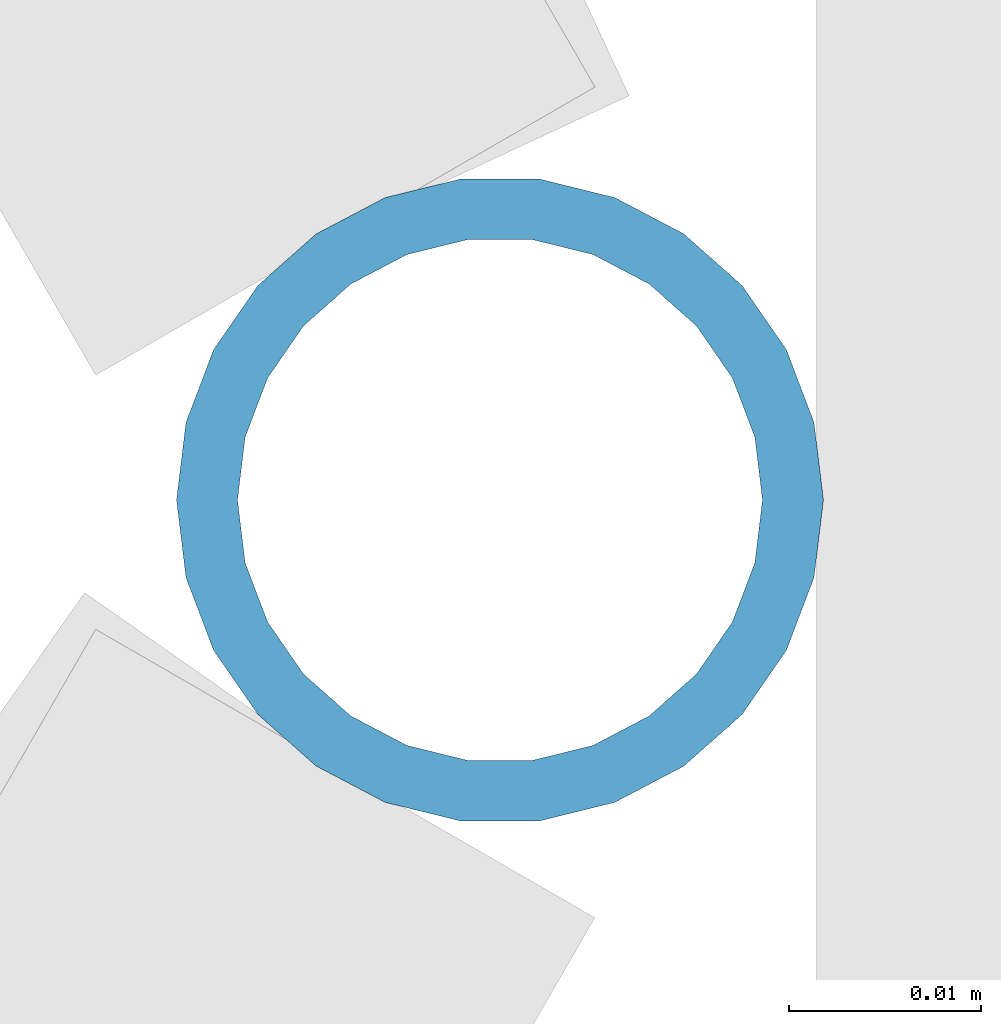
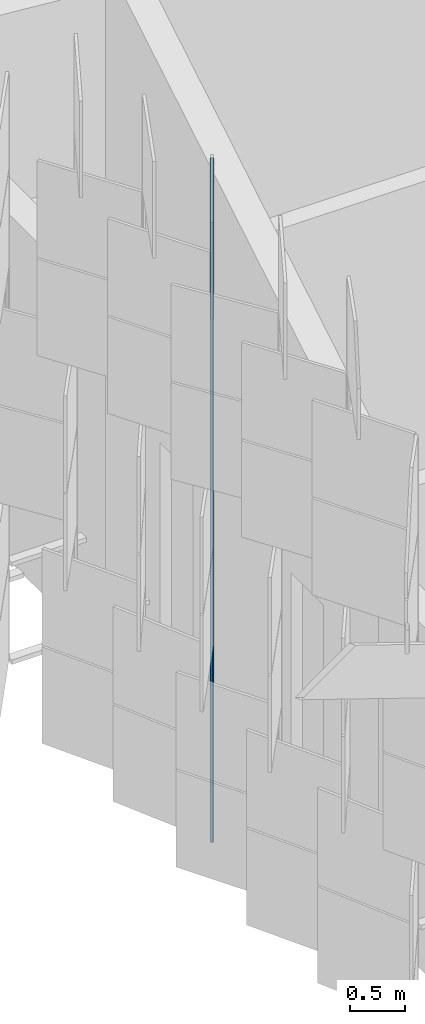
# One storey, part 193 of 483: 1 discrete accessory.
"""IFC4 building model written with IfcOpenShell, lengths in metres."""

from ifc_helpers import new_model, si_unit, direction, frame, origin, origin_2d, place, context, subcontext, project, spatial, hollow_circle, extrude, material, material_profile, profile_set, type_object, element, save


model = new_model("IFC4")

# Units and contexts
model_context = context("Model", 3, precision=1e-05, world=origin(), true_north=direction((0.0, 1.0)))
body_context = subcontext(model_context, "Body", "Model", "MODEL_VIEW")
ifc_project = project(units=[si_unit("LENGTHUNIT", "METRE"), si_unit("AREAUNIT", "SQUARE_METRE"), si_unit("VOLUMEUNIT", "CUBIC_METRE"), si_unit("PLANEANGLEUNIT", "RADIAN"), si_unit("MASSUNIT", "GRAM", prefix="KILO")], contexts=[model_context])

# Site, building, storey
site_placement = place(None, origin())
site = spatial("IfcSite", under=ifc_project, at=site_placement, CompositionType="ELEMENT")
building_placement = place(site_placement, origin())
building = spatial("IfcBuilding", under=site, at=building_placement, Name="Parallax Yard Mobility Hub", CompositionType="ELEMENT")
storey_placement = place(building_placement, frame((0.0, 0.0, 13.199951171875)))
storey = spatial("IfcBuildingStorey", under=building, at=storey_placement, Name="L04", CompositionType="ELEMENT", Elevation=13.199951171875)

# Discrete accessory
ifc_material = material(Name="Steel ASTM A500 Gr C, hot-dip galvanised", Category="steel")
ifc_material_profile = material_profile(ifc_material, hollow_circle(Radius=0.016845703125, WallThickness=0.003173828125, at=origin_2d()), Name="CHS 33.7x3.2")
ifc_profile_set = profile_set([ifc_material_profile], Name="Steel ASTM A500 Gr C, hot-dip galvanised")
discrete_accessory_type = type_object("IfcDiscreteAccessoryType", Name="Hinge post CHS 33.7x3.2", PredefinedType="BRACKET", material=ifc_profile_set)
discrete_accessory_placement = place(storey_placement, frame((194.36474609375, 81.948486328125, 0.0), z_axis=(0.0, 0.0, 1.0), x_axis=(1.0, 0.0, 0.0)))
element("IfcDiscreteAccessory", 1, at=discrete_accessory_placement, inside=storey, type_object=discrete_accessory_type, Name="Hinge post bay 23.8 level L04", PredefinedType="BRACKET", context=body_context, shape_type="SweptSolid", body=[
    extrude(hollow_circle(Radius=0.016845703125, WallThickness=0.003173828125, at=origin_2d()), origin(), (0.0, 0.0, 1.0), 7.650146484375),
])

save(model, "model.ifc")
